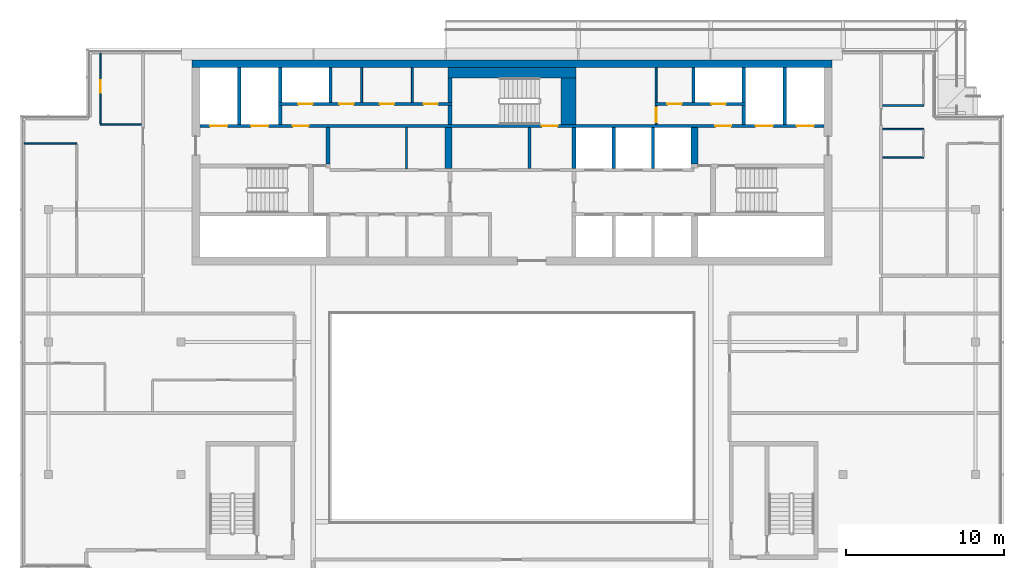
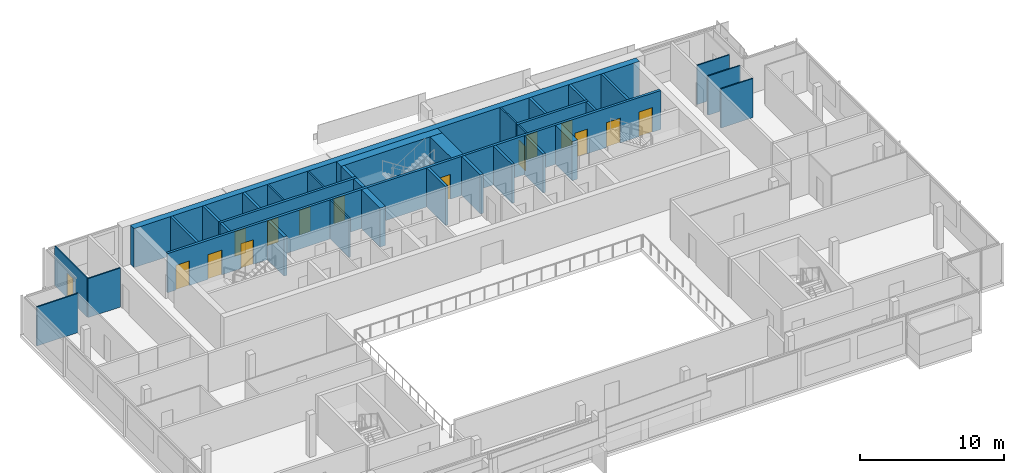
# One storey, part 15 of 22: 34 walls, 15 doors, 15 openings.
"""IFC4 building model written with IfcOpenShell, lengths in metres."""

from ifc_helpers import new_model, si_unit, direction, frame, frame_2d, origin, place, context, subcontext, project, spatial, rectangle, extrude, material, layer, layer_set, type_object, element, fill, save


model = new_model("IFC4")

# Units and contexts
model_context = context("Model", 3, precision=1e-05, world=origin(), true_north=direction((0.0, 1.0)))
body_context = subcontext(model_context, "Body", "Model", "MODEL_VIEW")
ifc_project = project(units=[si_unit("LENGTHUNIT", "METRE"), si_unit("AREAUNIT", "SQUARE_METRE"), si_unit("VOLUMEUNIT", "CUBIC_METRE"), si_unit("PLANEANGLEUNIT", "RADIAN"), si_unit("MASSUNIT", "GRAM", prefix="KILO")], contexts=[model_context])

# Site, building, storey
site_placement = place(None, origin())
site = spatial("IfcSite", under=ifc_project, at=site_placement, CompositionType="ELEMENT")
building_placement = place(site_placement, origin())
building = spatial("IfcBuilding", under=site, at=building_placement, Name="Saffron Gate Tower", CompositionType="ELEMENT")
storey_placement = place(building_placement, frame((0.0, 0.0, 295.949951171875)))
storey = spatial("IfcBuildingStorey", under=building, at=storey_placement, Name="L72", CompositionType="ELEMENT", Elevation=295.949951171875)

# Walls
ifc_material_1 = material(Name="Gypsum board partition on steel studs", Category="steel")
ifc_layer_1 = layer(ifc_material_1, 0.199951171875)
ifc_layer_set_1 = layer_set([ifc_layer_1], Name="CW10 Core partition 200")
wall_type_1 = type_object("IfcWallType", Name="CW10 Core partition 200", PredefinedType="PARTITIONING", material=ifc_layer_set_1)
wall_1_placement = place(storey_placement, frame((88.699951171875, 68.0, 0.0), z_axis=(0.0, 0.0, 1.0), x_axis=(0.0, 1.0, 0.0)))
element("IfcWall", 1, at=wall_1_placement, inside=storey, type_object=wall_type_1, Name="Wall CW10-L72-23", PredefinedType="PARTITIONING", context=body_context, shape_type="SweptSolid", body=[
    extrude(rectangle(XDim=2.60009765625, YDim=0.199951171875, at=frame_2d((1.300048828125, 0.0))), origin(), (0.0, 0.0, 1.0), 3.320068359375),
])
ifc_material_2 = material(Name="Concrete C50", Category="concrete")
ifc_layer_2 = layer(ifc_material_2, 0.5)
ifc_layer_set_2 = layer_set([ifc_layer_2], Name="CW22 RC core wall 500 C50")
wall_type_2 = type_object("IfcWallType", Name="CW22 RC core wall 500 C50", PredefinedType="SOLIDWALL", material=ifc_layer_set_2)
wall_2_placement = place(storey_placement, frame((67.300048828125, 74.64990234375, 0.0), z_axis=(0.0, 0.0, 1.0), x_axis=(1.0, 0.0, 0.0)))
element("IfcWall", 2, at=wall_2_placement, inside=storey, type_object=wall_type_2, Name="Wall CW22-L72-2", PredefinedType="SOLIDWALL", context=body_context, shape_type="SweptSolid", body=[
    extrude(rectangle(XDim=40.599853515625, YDim=0.5, at=frame_2d((20.2998046875, 0.0))), origin(), (0.0, 0.0, 1.0), 3.320068359375),
])
ifc_layer_3 = layer(ifc_material_2, 0.25)
ifc_layer_set_3 = layer_set([ifc_layer_3], Name="CW23 RC core wall 250 C50")
wall_type_3 = type_object("IfcWallType", Name="CW23 RC core wall 250 C50", PredefinedType="SOLIDWALL", material=ifc_layer_set_3)
wall_3_placement = place(storey_placement, frame((91.52490234375, 68.0, 0.0), z_axis=(0.0, 0.0, 1.0), x_axis=(0.0, 1.0, 0.0)))
element("IfcWall", 3, at=wall_3_placement, inside=storey, type_object=wall_type_3, Name="Wall CW23-L72-24", PredefinedType="SOLIDWALL", context=body_context, shape_type="SweptSolid", body=[
    extrude(rectangle(XDim=2.60009765625, YDim=0.25, at=frame_2d((1.300048828125, 0.0))), origin(), (0.0, 0.0, 1.0), 3.320068359375),
])
wall_4_placement = place(storey_placement, frame((75.925048828125, 68.300048828125, 0.0), z_axis=(0.0, 0.0, 1.0), x_axis=(0.0, 1.0, 0.0)))
element("IfcWall", 4, at=wall_4_placement, inside=storey, type_object=wall_type_3, Name="Wall CW23-L72-30", PredefinedType="SOLIDWALL", context=body_context, shape_type="SweptSolid", body=[
    extrude(rectangle(XDim=2.300048828125, YDim=0.25, at=frame_2d((1.14990234375, 0.0))), origin(), (0.0, 0.0, 1.0), 3.320068359375),
])
wall_5_placement = place(storey_placement, frame((83.675048828125, 70.800048828125, 0.0), z_axis=(0.0, 0.0, 1.0), x_axis=(0.0, 1.0, 0.0)))
element("IfcWall", 5, at=wall_5_placement, inside=storey, type_object=wall_type_3, Name="Wall CW23-L72-35", PredefinedType="SOLIDWALL", context=body_context, shape_type="SweptSolid", body=[
    extrude(rectangle(XDim=1.199951171875, YDim=0.25, at=frame_2d((0.60009765625, 0.0))), origin(), (0.0, 0.0, 1.0), 3.320068359375),
])
wall_6_placement = place(storey_placement, frame((83.675048828125, 72.199951171875, 0.0), z_axis=(0.0, 0.0, 1.0), x_axis=(0.0, 1.0, 0.0)))
element("IfcWall", 6, at=wall_6_placement, inside=storey, type_object=wall_type_3, Name="Wall CW23-L72-46", PredefinedType="SOLIDWALL", context=body_context, shape_type="SweptSolid", body=[
    extrude(rectangle(XDim=1.550048828125, YDim=0.25, at=frame_2d((0.77490234375, 0.0))), origin(), (0.0, 0.0, 1.0), 3.320068359375),
])
ifc_layer_4 = layer(ifc_material_2, 0.449951171875)
ifc_layer_set_4 = layer_set([ifc_layer_4], Name="CW24 RC core wall 450 C50")
wall_type_4 = type_object("IfcWallType", Name="CW24 RC core wall 450 C50", PredefinedType="SOLIDWALL", material=ifc_layer_set_4)
wall_7_placement = place(storey_placement, frame((83.574951171875, 68.0, 0.0), z_axis=(0.0, 0.0, 1.0), x_axis=(0.0, 1.0, 0.0)))
element("IfcWall", 7, at=wall_7_placement, inside=storey, type_object=wall_type_4, Name="Wall CW24-L72-22", PredefinedType="SOLIDWALL", context=body_context, shape_type="SweptSolid", body=[
    extrude(rectangle(XDim=2.60009765625, YDim=0.449951171875, at=frame_2d((1.300048828125, 0.0))), origin(), (0.0, 0.0, 1.0), 3.320068359375),
])
wall_8_placement = place(storey_placement, frame((99.175048828125, 68.300048828125, 0.0), z_axis=(0.0, 0.0, 1.0), x_axis=(0.0, 1.0, 0.0)))
element("IfcWall", 8, at=wall_8_placement, inside=storey, type_object=wall_type_4, Name="Wall CW24-L72-31", PredefinedType="SOLIDWALL", context=body_context, shape_type="SweptSolid", body=[
    extrude(rectangle(XDim=2.300048828125, YDim=0.449951171875, at=frame_2d((1.14990234375, 0.0))), origin(), (0.0, 0.0, 1.0), 3.320068359375),
])
ifc_layer_5 = layer(ifc_material_2, 0.199951171875)
ifc_layer_set_5 = layer_set([ifc_layer_5], Name="CW25 RC core wall 200 C50")
wall_type_5 = type_object("IfcWallType", Name="CW25 RC core wall 200 C50", PredefinedType="SOLIDWALL", material=ifc_layer_set_5)
for number, where, z_axis, x_axis, name in (
    (9, (94.050048828125, 68.0, 0.0), (0.0, 0.0, 1.0), (0.0, 1.0, 0.0), "Wall CW25-L72-25"),
    (10, (96.550048828125, 68.0, 0.0), (0.0, 0.0, 1.0), (0.0, 1.0, 0.0), "Wall CW25-L72-26"),
):
    element("IfcWall", number, at=place(storey_placement, frame(where, z_axis=z_axis, x_axis=x_axis)), inside=storey, type_object=wall_type_5, Name=name, PredefinedType="SOLIDWALL", context=body_context, shape_type="SweptSolid", body=[
        extrude(rectangle(XDim=2.60009765625, YDim=0.199951171875, at=frame_2d((1.300048828125, 0.0))), origin(), (0.0, 0.0, 1.0), 3.320068359375),
    ])

# Wall, openings, doors
wall_9_placement = place(storey_placement, frame((67.800048828125, 70.699951171875, 0.0), z_axis=(0.0, 0.0, 1.0), x_axis=(1.0, 0.0, 0.0)))
wall_9 = element("IfcWall", 11, at=wall_9_placement, inside=storey, type_object=wall_type_5, Name="Wall CW25-L72-32", PredefinedType="SOLIDWALL", context=body_context, shape_type="SweptSolid", body=[
    extrude(rectangle(XDim=39.599853515625, YDim=0.199951171875, at=frame_2d((19.7998046875, 0.0))), origin(), (0.0, 0.0, 1.0), 3.320068359375),
])
opening_1_placement = place(wall_9_placement, frame((0.64990234375, 0.0, 0.0)))
opening_1 = element("IfcOpeningElement", 12, at=opening_1_placement, cuts=wall_9, Name="Opening LD-FF1", PredefinedType="OPENING", context=body_context, shape_type="SweptSolid", body=[
    extrude(rectangle(XDim=1.10009765625, YDim=2.10009765625, at=frame_2d((0.550048828125, 1.050048828125))), frame((0.0, 0.10986328125, 0.0), z_axis=(0.0, -1.0, 0.0), x_axis=(1.0, 0.0, 0.0)), (0.0, 0.0, 1.0), 0.219970703125),
])
opening_2_placement = place(wall_9_placement, frame((3.25, 0.0, 0.0)))
opening_2 = element("IfcOpeningElement", 13, at=opening_2_placement, cuts=wall_9, Name="Opening LD-SV1", PredefinedType="OPENING", context=body_context, shape_type="SweptSolid", body=[
    extrude(rectangle(XDim=1.10009765625, YDim=2.10009765625, at=frame_2d((0.550048828125, 1.050048828125))), frame((0.0, 0.10986328125, 0.0), z_axis=(0.0, -1.0, 0.0), x_axis=(1.0, 0.0, 0.0)), (0.0, 0.0, 1.0), 0.219970703125),
])
opening_3_placement = place(wall_9_placement, frame((5.89990234375, 0.0, 0.0)))
opening_3 = element("IfcOpeningElement", 14, at=opening_3_placement, cuts=wall_9, Name="Opening CR-03", PredefinedType="OPENING", context=body_context, shape_type="SweptSolid", body=[
    extrude(rectangle(XDim=1.0, YDim=2.10009765625, at=frame_2d((0.5, 1.050048828125))), frame((0.0, 0.10986328125, 0.0), z_axis=(0.0, -1.0, 0.0), x_axis=(1.0, 0.0, 0.0)), (0.0, 0.0, 1.0), 0.219970703125),
])
opening_4_placement = place(wall_9_placement, frame((21.699951171875, 0.0, 0.0)))
opening_4 = element("IfcOpeningElement", 15, at=opening_4_placement, cuts=wall_9, Name="Opening CR-17", PredefinedType="OPENING", context=body_context, shape_type="SweptSolid", body=[
    extrude(rectangle(XDim=1.0, YDim=2.10009765625, at=frame_2d((0.5, 1.050048828125))), frame((0.0, 0.10986328125, 0.0), z_axis=(0.0, -1.0, 0.0), x_axis=(1.0, 0.0, 0.0)), (0.0, 0.0, 1.0), 0.219970703125),
])
opening_5_placement = place(wall_9_placement, frame((32.699951171875, 0.0, 0.0)))
opening_5 = element("IfcOpeningElement", 16, at=opening_5_placement, cuts=wall_9, Name="Opening CR-04", PredefinedType="OPENING", context=body_context, shape_type="SweptSolid", body=[
    extrude(rectangle(XDim=1.0, YDim=2.10009765625, at=frame_2d((0.5, 1.050048828125))), frame((0.0, 0.10986328125, 0.0), z_axis=(0.0, -1.0, 0.0), x_axis=(1.0, 0.0, 0.0)), (0.0, 0.0, 1.0), 0.219970703125),
])
opening_6_placement = place(wall_9_placement, frame((35.25, 0.0, 0.0)))
opening_6 = element("IfcOpeningElement", 17, at=opening_6_placement, cuts=wall_9, Name="Opening LD-SV2", PredefinedType="OPENING", context=body_context, shape_type="SweptSolid", body=[
    extrude(rectangle(XDim=1.10009765625, YDim=2.10009765625, at=frame_2d((0.550048828125, 1.050048828125))), frame((0.0, 0.10986328125, 0.0), z_axis=(0.0, -1.0, 0.0), x_axis=(1.0, 0.0, 0.0)), (0.0, 0.0, 1.0), 0.219970703125),
])
opening_7_placement = place(wall_9_placement, frame((37.85009765625, 0.0, 0.0)))
opening_7 = element("IfcOpeningElement", 18, at=opening_7_placement, cuts=wall_9, Name="Opening LD-FF2", PredefinedType="OPENING", context=body_context, shape_type="SweptSolid", body=[
    extrude(rectangle(XDim=1.10009765625, YDim=2.10009765625, at=frame_2d((0.550048828125, 1.050048828125))), frame((0.0, 0.10986328125, 0.0), z_axis=(0.0, -1.0, 0.0), x_axis=(1.0, 0.0, 0.0)), (0.0, 0.0, 1.0), 0.219970703125),
])
ifc_material_3 = material(Name="Steel fire door set", Category="steel")
door_type_1 = type_object("IfcDoorType", Name="CD4 Lobby door 1000x2100 EI 120", OperationType="NOTDEFINED", PredefinedType="DOOR", material=ifc_material_3)
door_1_placement = place(opening_3_placement, origin())
door_1 = element("IfcDoor", 19, at=door_1_placement, inside=storey, type_object=door_type_1, Name="DOOR CR-03", OperationType="SINGLE_SWING_LEFT", OverallHeight=2.10009765625, OverallWidth=1.0, PredefinedType="DOOR", context=body_context, shape_type="SweptSolid", body=[
    extrude(rectangle(XDim=1.0, YDim=2.10009765625, at=frame_2d((0.5, 1.050048828125))), frame((0.0, 0.02490234375, 0.0), z_axis=(0.0, -1.0, 0.0), x_axis=(1.0, 0.0, 0.0)), (0.0, 0.0, 1.0), 0.050048828125),
])
fill(opening_3, door_1)
door_2_placement = place(opening_5_placement, origin())
door_2 = element("IfcDoor", 20, at=door_2_placement, inside=storey, type_object=door_type_1, Name="DOOR CR-04", OperationType="SINGLE_SWING_RIGHT", OverallHeight=2.10009765625, OverallWidth=1.0, PredefinedType="DOOR", context=body_context, shape_type="SweptSolid", body=[
    extrude(rectangle(XDim=1.0, YDim=2.10009765625, at=frame_2d((0.5, 1.050048828125))), frame((0.0, 0.02490234375, 0.0), z_axis=(0.0, -1.0, 0.0), x_axis=(1.0, 0.0, 0.0)), (0.0, 0.0, 1.0), 0.050048828125),
])
fill(opening_5, door_2)
door_type_2 = type_object("IfcDoorType", Name="CD5 Stair door 1000x2100 EI 120", OperationType="NOTDEFINED", PredefinedType="DOOR", material=ifc_material_3)
door_3_placement = place(opening_4_placement, origin())
door_3 = element("IfcDoor", 21, at=door_3_placement, inside=storey, type_object=door_type_2, Name="DOOR CR-17", OperationType="SINGLE_SWING_RIGHT", OverallHeight=2.10009765625, OverallWidth=1.0, PredefinedType="DOOR", context=body_context, shape_type="SweptSolid", body=[
    extrude(rectangle(XDim=1.0, YDim=2.10009765625, at=frame_2d((0.5, 1.050048828125))), frame((0.0, 0.02490234375, 0.0), z_axis=(0.0, -1.0, 0.0), x_axis=(1.0, 0.0, 0.0)), (0.0, 0.0, 1.0), 0.050048828125),
])
fill(opening_4, door_3)
ifc_material_4 = material(Name="Stainless steel landing door", Category="steel")
door_type_3 = type_object("IfcDoorType", Name="LD Lift landing door 1100x2100 EI 120", OperationType="SLIDING_TO_LEFT", PredefinedType="DOOR", material=ifc_material_4)
door_4_placement = place(opening_1_placement, origin())
door_4 = element("IfcDoor", 22, at=door_4_placement, inside=storey, type_object=door_type_3, Name="LANDING DOOR LD-FF1", OperationType="SLIDING_TO_RIGHT", OverallHeight=2.10009765625, OverallWidth=1.10009765625, PredefinedType="DOOR", context=body_context, shape_type="SweptSolid", body=[
    extrude(rectangle(XDim=1.10009765625, YDim=2.10009765625, at=frame_2d((0.550048828125, 1.050048828125))), frame((0.0, 0.02490234375, 0.0), z_axis=(0.0, -1.0, 0.0), x_axis=(1.0, 0.0, 0.0)), (0.0, 0.0, 1.0), 0.050048828125),
])
fill(opening_1, door_4)
door_5_placement = place(opening_2_placement, origin())
door_5 = element("IfcDoor", 23, at=door_5_placement, inside=storey, type_object=door_type_3, Name="LANDING DOOR LD-SV1", OperationType="SLIDING_TO_RIGHT", OverallHeight=2.10009765625, OverallWidth=1.10009765625, PredefinedType="DOOR", context=body_context, shape_type="SweptSolid", body=[
    extrude(rectangle(XDim=1.10009765625, YDim=2.10009765625, at=frame_2d((0.550048828125, 1.050048828125))), frame((0.0, 0.02490234375, 0.0), z_axis=(0.0, -1.0, 0.0), x_axis=(1.0, 0.0, 0.0)), (0.0, 0.0, 1.0), 0.050048828125),
])
fill(opening_2, door_5)
door_6_placement = place(opening_6_placement, origin())
door_6 = element("IfcDoor", 24, at=door_6_placement, inside=storey, type_object=door_type_3, Name="LANDING DOOR LD-SV2", OperationType="SLIDING_TO_RIGHT", OverallHeight=2.10009765625, OverallWidth=1.10009765625, PredefinedType="DOOR", context=body_context, shape_type="SweptSolid", body=[
    extrude(rectangle(XDim=1.10009765625, YDim=2.10009765625, at=frame_2d((0.550048828125, 1.050048828125))), frame((0.0, 0.02490234375, 0.0), z_axis=(0.0, -1.0, 0.0), x_axis=(1.0, 0.0, 0.0)), (0.0, 0.0, 1.0), 0.050048828125),
])
fill(opening_6, door_6)
door_7_placement = place(opening_7_placement, origin())
door_7 = element("IfcDoor", 25, at=door_7_placement, inside=storey, type_object=door_type_3, Name="LANDING DOOR LD-FF2", OperationType="SLIDING_TO_RIGHT", OverallHeight=2.10009765625, OverallWidth=1.10009765625, PredefinedType="DOOR", context=body_context, shape_type="SweptSolid", body=[
    extrude(rectangle(XDim=1.10009765625, YDim=2.10009765625, at=frame_2d((0.550048828125, 1.050048828125))), frame((0.0, 0.02490234375, 0.0), z_axis=(0.0, -1.0, 0.0), x_axis=(1.0, 0.0, 0.0)), (0.0, 0.0, 1.0), 0.050048828125),
])
fill(opening_7, door_7)

# Walls
wall_10_placement = place(storey_placement, frame((70.300048828125, 70.800048828125, 0.0), z_axis=(0.0, 0.0, 1.0), x_axis=(0.0, 1.0, 0.0)))
element("IfcWall", 26, at=wall_10_placement, inside=storey, type_object=wall_type_5, Name="Wall CW25-L72-33", PredefinedType="SOLIDWALL", context=body_context, shape_type="SweptSolid", body=[
    extrude(rectangle(XDim=3.599853515625, YDim=0.199951171875, at=frame_2d((1.7998046875, 0.0))), origin(), (0.0, 0.0, 1.0), 3.320068359375),
])
for number, where, z_axis, x_axis, name in (
    (27, (72.89990234375, 70.800048828125, 0.0), (0.0, 0.0, 1.0), (0.0, 1.0, 0.0), "Wall CW25-L72-34"),
    (28, (102.300048828125, 70.800048828125, 0.0), (0.0, 0.0, 1.0), (0.0, 1.0, 0.0), "Wall CW25-L72-38"),
):
    element("IfcWall", number, at=place(storey_placement, frame(where, z_axis=z_axis, x_axis=x_axis)), inside=storey, type_object=wall_type_5, Name=name, PredefinedType="SOLIDWALL", context=body_context, shape_type="SweptSolid", body=[
        extrude(rectangle(XDim=1.199951171875, YDim=0.199951171875, at=frame_2d((0.60009765625, 0.0))), origin(), (0.0, 0.0, 1.0), 3.320068359375),
    ])
wall_11_placement = place(storey_placement, frame((104.89990234375, 70.800048828125, 0.0), z_axis=(0.0, 0.0, 1.0), x_axis=(0.0, 1.0, 0.0)))
element("IfcWall", 29, at=wall_11_placement, inside=storey, type_object=wall_type_5, Name="Wall CW25-L72-39", PredefinedType="SOLIDWALL", context=body_context, shape_type="SweptSolid", body=[
    extrude(rectangle(XDim=3.599853515625, YDim=0.199951171875, at=frame_2d((1.7998046875, 0.0))), origin(), (0.0, 0.0, 1.0), 3.320068359375),
])

# Wall, openings, doors
wall_12_placement = place(storey_placement, frame((72.800048828125, 72.10009765625, 0.0), z_axis=(0.0, 0.0, 1.0), x_axis=(1.0, 0.0, 0.0)))
wall_12 = element("IfcWall", 30, at=wall_12_placement, inside=storey, type_object=wall_type_5, Name="Wall CW25-L72-40", PredefinedType="SOLIDWALL", context=body_context, shape_type="SweptSolid", body=[
    extrude(rectangle(XDim=11.0, YDim=0.199951171875, at=frame_2d((5.5, 0.0))), origin(), (0.0, 0.0, 1.0), 3.320068359375),
])
opening_8_placement = place(wall_12_placement, frame((1.25, 0.0, 0.0)))
opening_8 = element("IfcOpeningElement", 31, at=opening_8_placement, cuts=wall_12, Name="Opening CR-71", PredefinedType="OPENING", context=body_context, shape_type="SweptSolid", body=[
    extrude(rectangle(XDim=0.89990234375, YDim=2.10009765625, at=frame_2d((0.449951171875, 1.050048828125))), frame((0.0, 0.10986328125, 0.0), z_axis=(0.0, -1.0, 0.0), x_axis=(1.0, 0.0, 0.0)), (0.0, 0.0, 1.0), 0.219970703125),
])
opening_9_placement = place(wall_12_placement, frame((3.85009765625, 0.0, 0.0)))
opening_9 = element("IfcOpeningElement", 32, at=opening_9_placement, cuts=wall_12, Name="Opening CR-55", PredefinedType="OPENING", context=body_context, shape_type="SweptSolid", body=[
    extrude(rectangle(XDim=0.89990234375, YDim=2.10009765625, at=frame_2d((0.449951171875, 1.050048828125))), frame((0.0, 0.10986328125, 0.0), z_axis=(0.0, -1.0, 0.0), x_axis=(1.0, 0.0, 0.0)), (0.0, 0.0, 1.0), 0.219970703125),
])
opening_10_placement = place(wall_12_placement, frame((6.419921875, 0.0, 0.0)))
opening_10 = element("IfcOpeningElement", 33, at=opening_10_placement, cuts=wall_12, Name="Opening CR-58", PredefinedType="OPENING", context=body_context, shape_type="SweptSolid", body=[
    extrude(rectangle(XDim=0.89990234375, YDim=2.10009765625, at=frame_2d((0.449951171875, 1.050048828125))), frame((0.0, 0.10986328125, 0.0), z_axis=(0.0, -1.0, 0.0), x_axis=(1.0, 0.0, 0.0)), (0.0, 0.0, 1.0), 0.219970703125),
])
opening_11_placement = place(wall_12_placement, frame((9.195068359375, 0.0, 0.0)))
opening_11 = element("IfcOpeningElement", 34, at=opening_11_placement, cuts=wall_12, Name="Opening CR-59", PredefinedType="OPENING", context=body_context, shape_type="SweptSolid", body=[
    extrude(rectangle(XDim=0.89990234375, YDim=2.10009765625, at=frame_2d((0.449951171875, 1.050048828125))), frame((0.0, 0.10986328125, 0.0), z_axis=(0.0, -1.0, 0.0), x_axis=(1.0, 0.0, 0.0)), (0.0, 0.0, 1.0), 0.219970703125),
])
door_type_4 = type_object("IfcDoorType", Name="CD2 Riser door 900x2100 EI 60", OperationType="NOTDEFINED", PredefinedType="DOOR", material=ifc_material_3)
door_8_placement = place(opening_8_placement, origin())
door_8 = element("IfcDoor", 35, at=door_8_placement, inside=storey, type_object=door_type_4, Name="DOOR CR-71", OperationType="SINGLE_SWING_LEFT", OverallHeight=2.10009765625, OverallWidth=0.89990234375, PredefinedType="DOOR", context=body_context, shape_type="SweptSolid", body=[
    extrude(rectangle(XDim=0.89990234375, YDim=2.10009765625, at=frame_2d((0.449951171875, 1.050048828125))), frame((0.0, 0.02490234375, 0.0), z_axis=(0.0, -1.0, 0.0), x_axis=(1.0, 0.0, 0.0)), (0.0, 0.0, 1.0), 0.050048828125),
])
fill(opening_8, door_8)
door_type_5 = type_object("IfcDoorType", Name="CD9 Room door 900x2100 EI 60", OperationType="NOTDEFINED", PredefinedType="DOOR", material=ifc_material_3)
door_9_placement = place(opening_9_placement, origin())
door_9 = element("IfcDoor", 36, at=door_9_placement, inside=storey, type_object=door_type_5, Name="DOOR CR-55", OperationType="SINGLE_SWING_LEFT", OverallHeight=2.10009765625, OverallWidth=0.89990234375, PredefinedType="DOOR", context=body_context, shape_type="SweptSolid", body=[
    extrude(rectangle(XDim=0.89990234375, YDim=2.10009765625, at=frame_2d((0.449951171875, 1.050048828125))), frame((0.0, 0.02490234375, 0.0), z_axis=(0.0, -1.0, 0.0), x_axis=(1.0, 0.0, 0.0)), (0.0, 0.0, 1.0), 0.050048828125),
])
fill(opening_9, door_9)
door_10_placement = place(opening_10_placement, origin())
door_10 = element("IfcDoor", 37, at=door_10_placement, inside=storey, type_object=door_type_5, Name="DOOR CR-58", OperationType="SINGLE_SWING_LEFT", OverallHeight=2.10009765625, OverallWidth=0.89990234375, PredefinedType="DOOR", context=body_context, shape_type="SweptSolid", body=[
    extrude(rectangle(XDim=0.89990234375, YDim=2.10009765625, at=frame_2d((0.449951171875, 1.050048828125))), frame((0.0, 0.02490234375, 0.0), z_axis=(0.0, -1.0, 0.0), x_axis=(1.0, 0.0, 0.0)), (0.0, 0.0, 1.0), 0.050048828125),
])
fill(opening_10, door_10)
door_11_placement = place(opening_11_placement, origin())
door_11 = element("IfcDoor", 38, at=door_11_placement, inside=storey, type_object=door_type_5, Name="DOOR CR-59", OperationType="SINGLE_SWING_LEFT", OverallHeight=2.10009765625, OverallWidth=0.89990234375, PredefinedType="DOOR", context=body_context, shape_type="SweptSolid", body=[
    extrude(rectangle(XDim=0.89990234375, YDim=2.10009765625, at=frame_2d((0.449951171875, 1.050048828125))), frame((0.0, 0.02490234375, 0.0), z_axis=(0.0, -1.0, 0.0), x_axis=(1.0, 0.0, 0.0)), (0.0, 0.0, 1.0), 0.050048828125),
])
fill(opening_11, door_11)

wall_13_placement = place(storey_placement, frame((96.679931640625, 72.10009765625, 0.0), z_axis=(0.0, 0.0, 1.0), x_axis=(1.0, 0.0, 0.0)))
wall_13 = element("IfcWall", 39, at=wall_13_placement, inside=storey, type_object=wall_type_5, Name="Wall CW25-L72-41", PredefinedType="SOLIDWALL", context=body_context, shape_type="SweptSolid", body=[
    extrude(rectangle(XDim=5.719970703125, YDim=0.199951171875, at=frame_2d((2.85986328125, 0.0))), origin(), (0.0, 0.0, 1.0), 3.320068359375),
])
opening_12_placement = place(wall_13_placement, frame((0.77001953125, 0.0, 0.0)))
opening_12 = element("IfcOpeningElement", 40, at=opening_12_placement, cuts=wall_13, Name="Opening CR-50", PredefinedType="OPENING", context=body_context, shape_type="SweptSolid", body=[
    extrude(rectangle(XDim=0.89990234375, YDim=2.10009765625, at=frame_2d((0.449951171875, 1.050048828125))), frame((0.0, 0.10986328125, 0.0), z_axis=(0.0, -1.0, 0.0), x_axis=(1.0, 0.0, 0.0)), (0.0, 0.0, 1.0), 0.219970703125),
])
opening_13_placement = place(wall_13_placement, frame((3.570068359375, 0.0, 0.0)))
opening_13 = element("IfcOpeningElement", 41, at=opening_13_placement, cuts=wall_13, Name="Opening CR-70", PredefinedType="OPENING", context=body_context, shape_type="SweptSolid", body=[
    extrude(rectangle(XDim=0.89990234375, YDim=2.10009765625, at=frame_2d((0.449951171875, 1.050048828125))), frame((0.0, 0.10986328125, 0.0), z_axis=(0.0, -1.0, 0.0), x_axis=(1.0, 0.0, 0.0)), (0.0, 0.0, 1.0), 0.219970703125),
])
door_12_placement = place(opening_13_placement, origin())
door_12 = element("IfcDoor", 42, at=door_12_placement, inside=storey, type_object=door_type_4, Name="DOOR CR-70", OperationType="SINGLE_SWING_LEFT", OverallHeight=2.10009765625, OverallWidth=0.89990234375, PredefinedType="DOOR", context=body_context, shape_type="SweptSolid", body=[
    extrude(rectangle(XDim=0.89990234375, YDim=2.10009765625, at=frame_2d((0.449951171875, 1.050048828125))), frame((0.0, 0.02490234375, 0.0), z_axis=(0.0, -1.0, 0.0), x_axis=(1.0, 0.0, 0.0)), (0.0, 0.0, 1.0), 0.050048828125),
])
fill(opening_13, door_12)
door_13_placement = place(opening_12_placement, origin())
door_13 = element("IfcDoor", 43, at=door_13_placement, inside=storey, type_object=door_type_5, Name="DOOR CR-50", OperationType="SINGLE_SWING_LEFT", OverallHeight=2.10009765625, OverallWidth=0.89990234375, PredefinedType="DOOR", context=body_context, shape_type="SweptSolid", body=[
    extrude(rectangle(XDim=0.89990234375, YDim=2.10009765625, at=frame_2d((0.449951171875, 1.050048828125))), frame((0.0, 0.02490234375, 0.0), z_axis=(0.0, -1.0, 0.0), x_axis=(1.0, 0.0, 0.0)), (0.0, 0.0, 1.0), 0.050048828125),
])
fill(opening_12, door_13)

# Walls
for number, where, z_axis, x_axis, name in (
    (44, (72.89990234375, 72.199951171875, 0.0), (0.0, 0.0, 1.0), (0.0, 1.0, 0.0), "Wall CW25-L72-42"),
    (45, (76.10009765625, 72.199951171875, 0.0), (0.0, 0.0, 1.0), (0.0, 1.0, 0.0), "Wall CW25-L72-43"),
    (46, (99.10009765625, 72.199951171875, 0.0), (0.0, 0.0, 1.0), (0.0, 1.0, 0.0), "Wall CW25-L72-48"),
    (47, (102.300048828125, 72.199951171875, 0.0), (0.0, 0.0, 1.0), (0.0, 1.0, 0.0), "Wall CW25-L72-49"),
):
    element("IfcWall", number, at=place(storey_placement, frame(where, z_axis=z_axis, x_axis=x_axis)), inside=storey, type_object=wall_type_5, Name=name, PredefinedType="SOLIDWALL", context=body_context, shape_type="SweptSolid", body=[
        extrude(rectangle(XDim=2.199951171875, YDim=0.199951171875, at=frame_2d((1.10009765625, 0.0))), origin(), (0.0, 0.0, 1.0), 3.320068359375),
    ])
ifc_layer_6 = layer(ifc_material_2, 0.949951171875)
ifc_layer_set_6 = layer_set([ifc_layer_6], Name="CW28 RC core wall 950 C50")
wall_type_6 = type_object("IfcWallType", Name="CW28 RC core wall 950 C50", PredefinedType="SOLIDWALL", material=ifc_layer_set_6)
wall_14_placement = place(storey_placement, frame((91.175048828125, 70.800048828125, 0.0), z_axis=(0.0, 0.0, 1.0), x_axis=(0.0, 1.0, 0.0)))
element("IfcWall", 48, at=wall_14_placement, inside=storey, type_object=wall_type_6, Name="Wall CW28-L72-36", PredefinedType="SOLIDWALL", context=body_context, shape_type="SweptSolid", body=[
    extrude(rectangle(XDim=2.949951171875, YDim=0.949951171875, at=frame_2d((1.47509765625, 0.0))), origin(), (0.0, 0.0, 1.0), 3.320068359375),
])
ifc_layer_7 = layer(ifc_material_2, 0.64990234375)
ifc_layer_set_7 = layer_set([ifc_layer_7], Name="CW29 RC core wall 650 C50")
wall_type_7 = type_object("IfcWallType", Name="CW29 RC core wall 650 C50", PredefinedType="SOLIDWALL", material=ifc_layer_set_7)
wall_15_placement = place(storey_placement, frame((83.550048828125, 74.074951171875, 0.0), z_axis=(0.0, 0.0, 1.0), x_axis=(1.0, 0.0, 0.0)))
element("IfcWall", 49, at=wall_15_placement, inside=storey, type_object=wall_type_7, Name="Wall CW29-L72-50", PredefinedType="SOLIDWALL", context=body_context, shape_type="SweptSolid", body=[
    extrude(rectangle(XDim=8.099853515625, YDim=0.64990234375, at=frame_2d((4.0498046875, 0.0))), origin(), (0.0, 0.0, 1.0), 3.320068359375),
])
ifc_layer_8 = layer(ifc_material_1, 0.1201171875)
ifc_layer_set_8 = layer_set([ifc_layer_8], Name="CW8 Core partition 120")
wall_type_8 = type_object("IfcWallType", Name="CW8 Core partition 120", PredefinedType="PARTITIONING", material=ifc_layer_set_8)
wall_16_placement = place(storey_placement, frame((80.909912109375, 68.0, 0.0), z_axis=(0.0, 0.0, 1.0), x_axis=(0.0, 1.0, 0.0)))
element("IfcWall", 50, at=wall_16_placement, inside=storey, type_object=wall_type_8, Name="Wall CW8-L72-21", PredefinedType="PARTITIONING", context=body_context, shape_type="SweptSolid", body=[
    extrude(rectangle(XDim=2.60009765625, YDim=0.1201171875, at=frame_2d((1.300048828125, 0.0))), origin(), (0.0, 0.0, 1.0), 3.320068359375),
])

# Wall, opening, door
wall_17_placement = place(storey_placement, frame((96.739990234375, 70.800048828125, 0.0), z_axis=(0.0, 0.0, 1.0), x_axis=(0.0, 1.0, 0.0)))
wall_17 = element("IfcWall", 51, at=wall_17_placement, inside=storey, type_object=wall_type_8, Name="Wall CW8-L72-37", PredefinedType="PARTITIONING", context=body_context, shape_type="SweptSolid", body=[
    extrude(rectangle(XDim=1.199951171875, YDim=0.1201171875, at=frame_2d((0.60009765625, 0.0))), origin(), (0.0, 0.0, 1.0), 3.320068359375),
])
opening_14_placement = place(wall_17_placement, frame((0.14990234375, 0.0, 0.0)))
opening_14 = element("IfcOpeningElement", 52, at=opening_14_placement, cuts=wall_17, Name="Opening CR-54", PredefinedType="OPENING", context=body_context, shape_type="SweptSolid", body=[
    extrude(rectangle(XDim=0.89990234375, YDim=2.10009765625, at=frame_2d((0.449951171875, 1.050048828125))), frame((0.0, 0.070068359375, 0.0), z_axis=(0.0, -1.0, 0.0), x_axis=(1.0, 0.0, 0.0)), (0.0, 0.0, 1.0), 0.14013671875),
])
door_14_placement = place(opening_14_placement, origin())
door_14 = element("IfcDoor", 53, at=door_14_placement, inside=storey, type_object=door_type_5, Name="DOOR CR-54", OperationType="SINGLE_SWING_LEFT", OverallHeight=2.10009765625, OverallWidth=0.89990234375, PredefinedType="DOOR", context=body_context, shape_type="SweptSolid", body=[
    extrude(rectangle(XDim=0.89990234375, YDim=2.10009765625, at=frame_2d((0.449951171875, 1.050048828125))), frame((0.0, 0.02490234375, 0.0), z_axis=(0.0, -1.0, 0.0), x_axis=(1.0, 0.0, 0.0)), (0.0, 0.0, 1.0), 0.050048828125),
])
fill(opening_14, door_14)

# Walls
for number, where, z_axis, x_axis, name in (
    (54, (78.06005859375, 72.199951171875, 0.0), (0.0, 0.0, 1.0), (0.0, 1.0, 0.0), "Wall CW8-L72-44"),
    (55, (81.280029296875, 72.199951171875, 0.0), (0.0, 0.0, 1.0), (0.0, 1.0, 0.0), "Wall CW8-L72-45"),
    (56, (96.739990234375, 72.199951171875, 0.0), (0.0, 0.0, 1.0), (0.0, 1.0, 0.0), "Wall CW8-L72-47"),
):
    element("IfcWall", number, at=place(storey_placement, frame(where, z_axis=z_axis, x_axis=x_axis)), inside=storey, type_object=wall_type_8, Name=name, PredefinedType="PARTITIONING", context=body_context, shape_type="SweptSolid", body=[
        extrude(rectangle(XDim=2.199951171875, YDim=0.1201171875, at=frame_2d((1.10009765625, 0.0))), origin(), (0.0, 0.0, 1.0), 3.320068359375),
    ])
ifc_material_5 = material(Name="Plasterboard on steel studs", Category="steel")
ifc_layer_9 = layer(ifc_material_5, 0.10009765625)
ifc_layer_set_9 = layer_set([ifc_layer_9], Name="PW1 Partition 100")
wall_type_9 = type_object("IfcWallType", Name="PW1 Partition 100", PredefinedType="PARTITIONING", material=ifc_layer_set_9)
wall_18_placement = place(storey_placement, frame((111.10009765625, 68.699951171875, 0.0), z_axis=(0.0, 0.0, 1.0), x_axis=(1.0, 0.0, 0.0)))
element("IfcWall", 57, at=wall_18_placement, inside=storey, type_object=wall_type_9, Name="Partition E5-23", PredefinedType="PARTITIONING", context=body_context, shape_type="SweptSolid", body=[
    extrude(rectangle(XDim=2.599853515625, YDim=0.10009765625, at=frame_2d((1.2998046875, 0.0))), origin(), (0.0, 0.0, 1.0), 3.320068359375),
])
wall_19_placement = place(storey_placement, frame((56.679931640625, 69.60009765625, 0.0), z_axis=(0.0, 0.0, 1.0), x_axis=(1.0, 0.0, 0.0)))
element("IfcWall", 58, at=wall_19_placement, inside=storey, type_object=wall_type_9, Name="Partition E5-24", PredefinedType="PARTITIONING", context=body_context, shape_type="SweptSolid", body=[
    extrude(rectangle(XDim=3.320068359375, YDim=0.10009765625, at=frame_2d((1.66015625, 0.0))), origin(), (0.0, 0.0, 1.0), 3.320068359375),
])
wall_20_placement = place(storey_placement, frame((111.10009765625, 70.5, 0.0), z_axis=(0.0, 0.0, 1.0), x_axis=(1.0, 0.0, 0.0)))
element("IfcWall", 59, at=wall_20_placement, inside=storey, type_object=wall_type_9, Name="Partition E5-26", PredefinedType="PARTITIONING", context=body_context, shape_type="SweptSolid", body=[
    extrude(rectangle(XDim=2.599853515625, YDim=0.10009765625, at=frame_2d((1.2998046875, 0.0))), origin(), (0.0, 0.0, 1.0), 3.320068359375),
])
wall_21_placement = place(storey_placement, frame((61.5, 70.800048828125, 0.0), z_axis=(0.0, 0.0, 1.0), x_axis=(1.0, 0.0, 0.0)))
element("IfcWall", 60, at=wall_21_placement, inside=storey, type_object=wall_type_9, Name="Partition E5-27", PredefinedType="PARTITIONING", context=body_context, shape_type="SweptSolid", body=[
    extrude(rectangle(XDim=2.60009765625, YDim=0.10009765625, at=frame_2d((1.300048828125, 0.0))), origin(), (0.0, 0.0, 1.0), 3.320068359375),
])
wall_22_placement = place(storey_placement, frame((111.10009765625, 72.0, 0.0), z_axis=(0.0, 0.0, 1.0), x_axis=(1.0, 0.0, 0.0)))
element("IfcWall", 61, at=wall_22_placement, inside=storey, type_object=wall_type_9, Name="Partition E5-28", PredefinedType="PARTITIONING", context=body_context, shape_type="SweptSolid", body=[
    extrude(rectangle(XDim=2.599853515625, YDim=0.10009765625, at=frame_2d((1.2998046875, 0.0))), origin(), (0.0, 0.0, 1.0), 3.320068359375),
])

# Wall, opening, door
wall_23_placement = place(storey_placement, frame((61.5, 75.320068359375, 0.0), z_axis=(0.0, 0.0, 1.0), x_axis=(0.0, -1.0, 0.0)))
wall_23 = element("IfcWall", 62, at=wall_23_placement, inside=storey, type_object=wall_type_9, Name="Partition E5-31", PredefinedType="PARTITIONING", context=body_context, shape_type="SweptSolid", body=[
    extrude(rectangle(XDim=4.469970703125, YDim=0.10009765625, at=frame_2d((2.23486328125, 0.0))), origin(), (0.0, 0.0, 1.0), 3.320068359375),
])
opening_15_placement = place(wall_23_placement, frame((1.719970703125, 0.0, 0.0)))
opening_15 = element("IfcOpeningElement", 63, at=opening_15_placement, cuts=wall_23, Name="Opening E5-11", PredefinedType="OPENING", context=body_context, shape_type="SweptSolid", body=[
    extrude(rectangle(XDim=0.800048828125, YDim=2.10009765625, at=frame_2d((0.39990234375, 1.050048828125))), frame((0.0, 0.06005859375, 0.0), z_axis=(0.0, -1.0, 0.0), x_axis=(1.0, 0.0, 0.0)), (0.0, 0.0, 1.0), 0.1201171875),
])
ifc_material_6 = material(Name="Timber door set", Category="wood")
door_type_6 = type_object("IfcDoorType", Name="RD2 Bathroom door 800x2100", OperationType="NOTDEFINED", PredefinedType="DOOR", material=ifc_material_6)
door_15_placement = place(opening_15_placement, origin())
door_15 = element("IfcDoor", 64, at=door_15_placement, inside=storey, type_object=door_type_6, Name="Door E5-11", OperationType="SINGLE_SWING_LEFT", OverallHeight=2.10009765625, OverallWidth=0.800048828125, PredefinedType="DOOR", context=body_context, shape_type="SweptSolid", body=[
    extrude(rectangle(XDim=0.800048828125, YDim=2.10009765625, at=frame_2d((0.39990234375, 1.050048828125))), frame((0.0, 0.02490234375, 0.0), z_axis=(0.0, -1.0, 0.0), x_axis=(1.0, 0.0, 0.0)), (0.0, 0.0, 1.0), 0.050048828125),
])
fill(opening_15, door_15)

save(model, "model.ifc")
